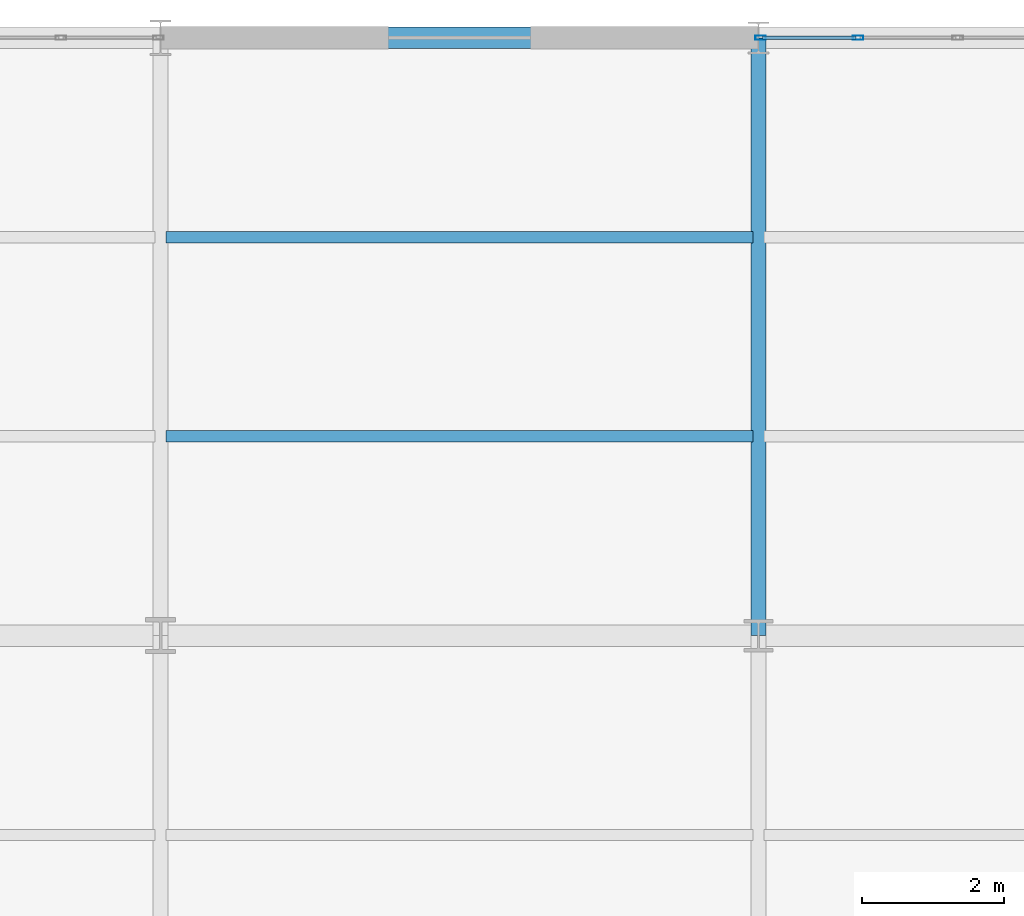
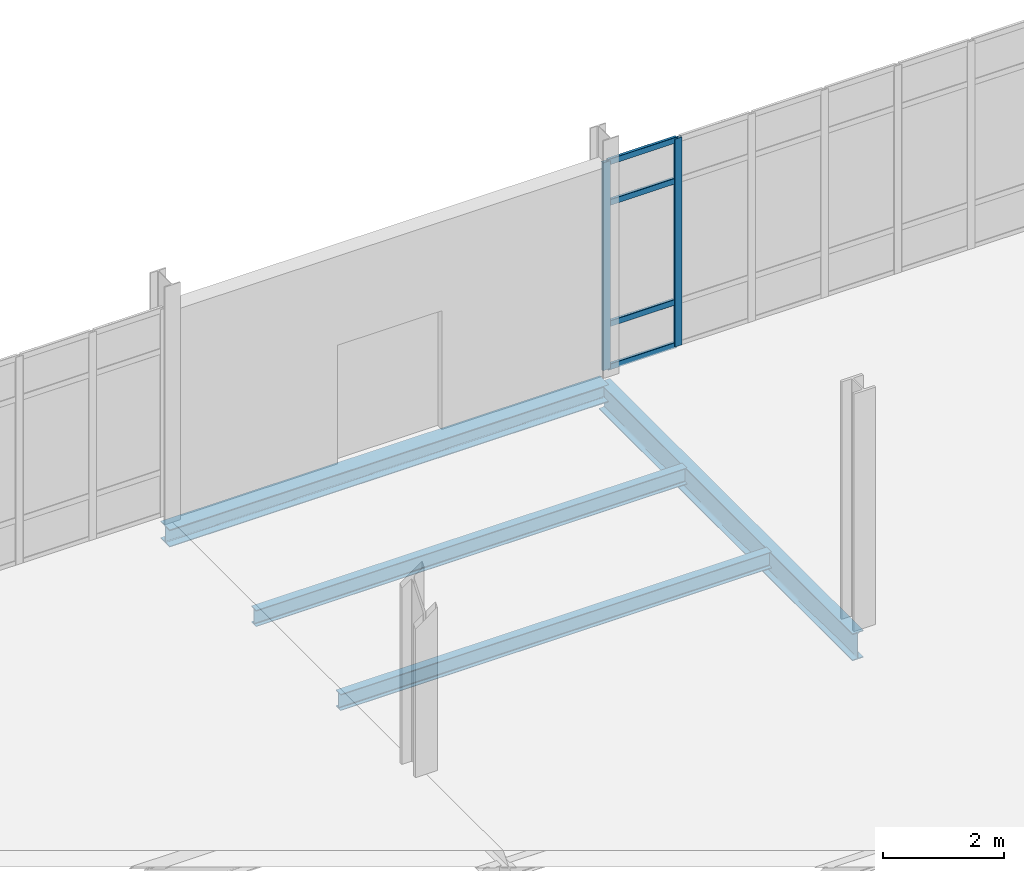
# One storey, part 90 of 145: 6 members, 4 beams, 1 element without a shape of its own.
"""IFC4 building model written with IfcOpenShell, lengths in metres."""

from ifc_helpers import new_model, si_unit, direction, frame, origin, origin_2d, place, context, subcontext, project, spatial, hollow_rectangle, i_section, extrude, material, layer, layer_set, material_profile, profile_set, type_object, element, aggregate, save


model = new_model("IFC4")

# Units and contexts
model_context = context("Model", 3, precision=1e-05, world=origin(), true_north=direction((0.0, 1.0)))
body_context = subcontext(model_context, "Body", "Model", "MODEL_VIEW")
ifc_project = project(units=[si_unit("LENGTHUNIT", "METRE"), si_unit("AREAUNIT", "SQUARE_METRE"), si_unit("VOLUMEUNIT", "CUBIC_METRE"), si_unit("PLANEANGLEUNIT", "RADIAN"), si_unit("MASSUNIT", "GRAM", prefix="KILO")], contexts=[model_context])

# Site, building, storey
site_placement = place(None, origin())
site = spatial("IfcSite", under=ifc_project, at=site_placement, CompositionType="ELEMENT")
building_placement = place(site_placement, origin())
building = spatial("IfcBuilding", under=site, at=building_placement, Name="Qalvenar Corner Mobility Hub", CompositionType="ELEMENT")
storey_placement = place(building_placement, origin())
storey = spatial("IfcBuildingStorey", under=building, at=storey_placement, Name="L00", CompositionType="ELEMENT", Elevation=0.0)

# Beams
ifc_material_1 = material(Name="Steel S355", Category="steel")
ifc_material_profile_1 = material_profile(ifc_material_1, i_section(OverallWidth=0.2099609375, OverallDepth=0.550048828125, WebThickness=0.010986328125, FlangeThickness=0.01708984375, FilletRadius=0.02392578125, at=origin_2d()), Name="IPE550")
ifc_profile_set_1 = profile_set([ifc_material_profile_1], Name="Steel S355")
beam_type_1 = type_object("IfcBeamType", Name="BM-IPE550", PredefinedType="BEAM", material=ifc_profile_set_1)
beam_1_placement = place(storey_placement, frame((109.199951171875, 109.199951171875, -0.4951171875), z_axis=(0.0, 1.0, 0.0), x_axis=(-1.0, 0.0, 0.0)))
element("IfcBeam", 1, at=beam_1_placement, inside=storey, type_object=beam_type_1, Name="Primary Steel Girder GY-0628", PredefinedType="BEAM", context=body_context, shape_type="SweptSolid", body=[
    extrude(i_section(OverallWidth=0.2099609375, OverallDepth=0.550048828125, WebThickness=0.010986328125, FlangeThickness=0.01708984375, FilletRadius=0.02392578125, at=origin_2d()), origin(), (0.0, 0.0, 1.0), 8.400146484375),
])
ifc_material_profile_2 = material_profile(ifc_material_1, i_section(OverallWidth=0.159912109375, OverallDepth=0.330078125, WebThickness=0.007568359375, FlangeThickness=0.011474609375, FilletRadius=0.01806640625, at=origin_2d()), Name="IPE330")
ifc_profile_set_2 = profile_set([ifc_material_profile_2], Name="Steel S355")
beam_type_2 = type_object("IfcBeamType", Name="BM-JST330", PredefinedType="JOIST", material=ifc_profile_set_2)
for number, where, z_axis, x_axis, name in (
    (2, (100.8779296875, 112.0, -0.385009765625), (1.0, 0.0, 0.0), (0.0, 1.0, 0.0), "Composite Floor Joist J-0715"),
    (3, (100.8779296875, 114.800048828125, -0.385009765625), (1.0, 0.0, 0.0), (0.0, 1.0, 0.0), "Composite Floor Joist J-0716"),
):
    element("IfcBeam", number, at=place(storey_placement, frame(where, z_axis=z_axis, x_axis=x_axis)), inside=storey, type_object=beam_type_2, Name=name, PredefinedType="JOIST", context=body_context, shape_type="SweptSolid", body=[
        extrude(i_section(OverallWidth=0.159912109375, OverallDepth=0.330078125, WebThickness=0.007568359375, FlangeThickness=0.011474609375, FilletRadius=0.01806640625, at=origin_2d()), origin(), (0.0, 0.0, 1.0), 8.244140625),
    ])
ifc_material_profile_3 = material_profile(ifc_material_1, i_section(OverallWidth=0.300048828125, OverallDepth=0.35009765625, WebThickness=0.010009765625, FlangeThickness=0.017578125, FilletRadius=0.027099609375, at=origin_2d()), Name="HEA360")
ifc_profile_set_3 = profile_set([ifc_material_profile_3], Name="Steel S355")
beam_type_3 = type_object("IfcBeamType", Name="BM-SPN360", PredefinedType="SPANDREL", material=ifc_profile_set_3)
beam_2_placement = place(storey_placement, frame((100.800048828125, 117.60009765625, -0.39501953125), z_axis=(1.0, 0.0, 0.0), x_axis=(0.0, 1.0, 0.0)))
element("IfcBeam", 4, at=beam_2_placement, inside=storey, type_object=beam_type_3, Name="Primary Steel Girder GX-0585", PredefinedType="SPANDREL", context=body_context, shape_type="SweptSolid", body=[
    extrude(i_section(OverallWidth=0.300048828125, OverallDepth=0.35009765625, WebThickness=0.010009765625, FlangeThickness=0.017578125, FilletRadius=0.027099609375, at=origin_2d()), origin(), (0.0, 0.0, 1.0), 8.39990234375),
])

# Curtain wall, members
ifc_material_2 = material(Name="Anodised Aluminium and Low-E Glazing", Category="aluminium")
ifc_layer = layer(ifc_material_2, 0.14990234375)
ifc_layer_set = layer_set([ifc_layer], Name="Anodised Aluminium and Low-E Glazing")
curtain_wall_type = type_object("IfcCurtainWallType", Name="CW-MOB-84X46", PredefinedType="NOTDEFINED", material=ifc_layer_set)
curtain_wall_placement = place(storey_placement, origin())
curtain_wall = element("IfcCurtainWall", 5, at=curtain_wall_placement, inside=storey, type_object=curtain_wall_type, Name="Glazed Curtain Wall CW-V4-L00-N6", PredefinedType="NOTDEFINED")
ifc_material_3 = material(Name="Anodised Aluminium 6063-T6", Category="aluminium")
ifc_material_profile_4 = material_profile(ifc_material_3, hollow_rectangle(XDim=0.06005859375, YDim=0.14990234375, WallThickness=0.00390625, InnerFilletRadius=0.00390625, OuterFilletRadius=0.008056640625, at=origin_2d()), Name="RHS150x60x4")
ifc_profile_set_4 = profile_set([ifc_material_profile_4], Name="Anodised Aluminium 6063-T6")
member_type_1 = type_object("IfcMemberType", Name="CW-MUL150", PredefinedType="MULLION", material=ifc_profile_set_4)
member_1_placement = place(storey_placement, frame((110.60009765625, 117.60009765625, 0.0), z_axis=(0.0, 0.0, 1.0), x_axis=(0.0, -1.0, 0.0)))
member_1 = element("IfcMember", 6, at=member_1_placement, type_object=member_type_1, Name="CW-03 mullion 6", PredefinedType="MULLION", context=body_context, shape_type="SweptSolid", body=[
    extrude(hollow_rectangle(XDim=0.06005859375, YDim=0.14990234375, WallThickness=0.00390625, InnerFilletRadius=0.00390625, OuterFilletRadius=0.008056640625, at=origin_2d()), origin(), (0.0, 0.0, 1.0), 4.199951171875),
])
member_2_placement = place(storey_placement, frame((109.22998046875, 117.60009765625, 0.0), z_axis=(0.0, 0.0, 1.0), x_axis=(0.0, -1.0, 0.0)))
member_2 = element("IfcMember", 7, at=member_2_placement, type_object=member_type_1, Name="CW-03 mullion 7", PredefinedType="MULLION", context=body_context, shape_type="SweptSolid", body=[
    extrude(hollow_rectangle(XDim=0.06005859375, YDim=0.14990234375, WallThickness=0.00390625, InnerFilletRadius=0.00390625, OuterFilletRadius=0.008056640625, at=origin_2d()), origin(), (0.0, 0.0, 1.0), 4.199951171875),
])
ifc_material_profile_5 = material_profile(ifc_material_3, hollow_rectangle(XDim=0.054931640625, YDim=0.1201171875, WallThickness=0.00341796875, InnerFilletRadius=0.00341796875, OuterFilletRadius=0.007080078125, at=origin_2d()), Name="RHS120x55x3.5")
ifc_profile_set_5 = profile_set([ifc_material_profile_5], Name="Anodised Aluminium 6063-T6")
member_type_2 = type_object("IfcMemberType", Name="CW-TRN120", PredefinedType="USERDEFINED", material=ifc_profile_set_5)
member_3_placement = place(storey_placement, frame((110.570068359375, 117.60009765625, 0.027587890625), z_axis=(-1.0, 0.0, 0.0), x_axis=(0.0, -1.0, 0.0)))
member_3 = element("IfcMember", 8, at=member_3_placement, type_object=member_type_2, Name="CW-03 transom 6.1", ObjectType="TRANSOM", PredefinedType="USERDEFINED", context=body_context, shape_type="SweptSolid", body=[
    extrude(hollow_rectangle(XDim=0.054931640625, YDim=0.1201171875, WallThickness=0.00341796875, InnerFilletRadius=0.00341796875, OuterFilletRadius=0.007080078125, at=origin_2d()), origin(), (0.0, 0.0, 1.0), 1.31005859375),
])
member_4_placement = place(storey_placement, frame((110.570068359375, 117.60009765625, 0.89990234375), z_axis=(-1.0, 0.0, 0.0), x_axis=(0.0, -1.0, 0.0)))
member_4 = element("IfcMember", 9, at=member_4_placement, type_object=member_type_2, Name="CW-03 transom 6.2", ObjectType="TRANSOM", PredefinedType="USERDEFINED", context=body_context, shape_type="SweptSolid", body=[
    extrude(hollow_rectangle(XDim=0.054931640625, YDim=0.1201171875, WallThickness=0.00341796875, InnerFilletRadius=0.00341796875, OuterFilletRadius=0.007080078125, at=origin_2d()), origin(), (0.0, 0.0, 1.0), 1.31005859375),
])
member_5_placement = place(storey_placement, frame((110.570068359375, 117.60009765625, 3.35009765625), z_axis=(-1.0, 0.0, 0.0), x_axis=(0.0, -1.0, 0.0)))
member_5 = element("IfcMember", 10, at=member_5_placement, type_object=member_type_2, Name="CW-03 transom 6.3", ObjectType="TRANSOM", PredefinedType="USERDEFINED", context=body_context, shape_type="SweptSolid", body=[
    extrude(hollow_rectangle(XDim=0.054931640625, YDim=0.1201171875, WallThickness=0.00341796875, InnerFilletRadius=0.00341796875, OuterFilletRadius=0.007080078125, at=origin_2d()), origin(), (0.0, 0.0, 1.0), 1.31005859375),
])
member_6_placement = place(storey_placement, frame((110.570068359375, 117.60009765625, 4.172607421875), z_axis=(-1.0, 0.0, 0.0), x_axis=(0.0, -1.0, 0.0)))
member_6 = element("IfcMember", 11, at=member_6_placement, type_object=member_type_2, Name="CW-03 transom 6.4", ObjectType="TRANSOM", PredefinedType="USERDEFINED", context=body_context, shape_type="SweptSolid", body=[
    extrude(hollow_rectangle(XDim=0.054931640625, YDim=0.1201171875, WallThickness=0.00341796875, InnerFilletRadius=0.00341796875, OuterFilletRadius=0.007080078125, at=origin_2d()), origin(), (0.0, 0.0, 1.0), 1.31005859375),
])
aggregate(curtain_wall, [member_1, member_2, member_3, member_4, member_5, member_6])

save(model, "model.ifc")
